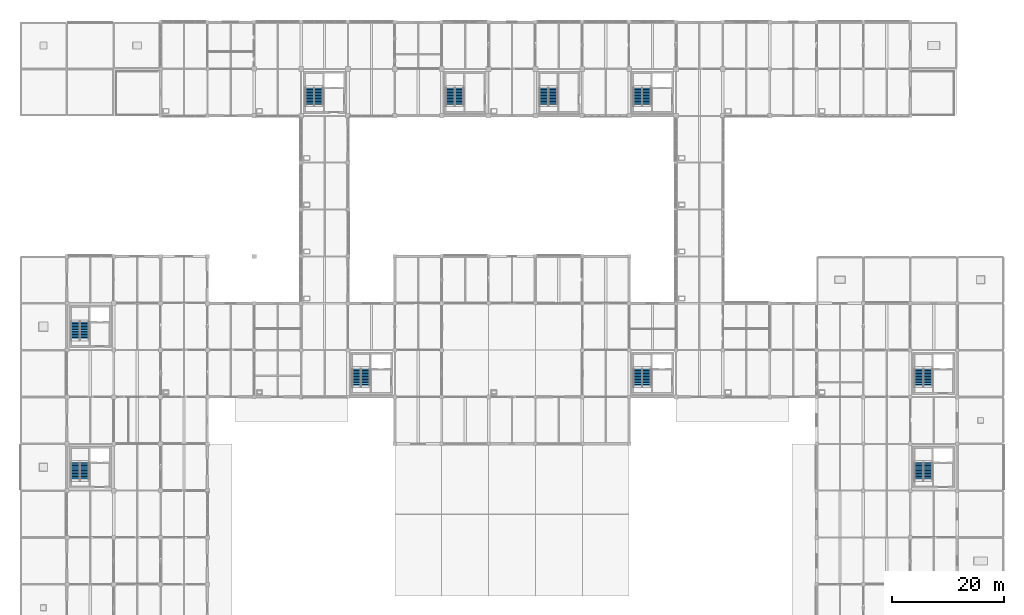
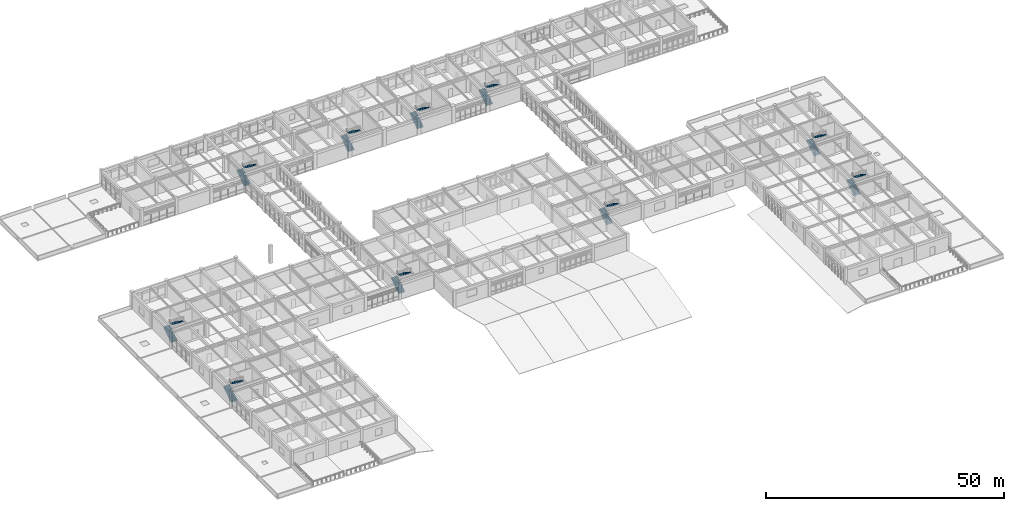
# One storey, part 74 of 78: 20 stair flights, 10 elements without a shape of their own.
"""IFC4 building model written with IfcOpenShell, lengths in metres."""

import ifcopenshell
import ifcopenshell.guid

model = None  # the IFC model being written
_history = None  # IfcOwnerHistory: only IFC2X3 demands one
_inside = {}  # id of a spatial element -> (the spatial element, [elements in it])
_under = {}  # id of a project, library or spatial element -> (it, [spatial elements below it])
_declared = {}  # id of a project -> (the project, [libraries it declares])
_typed = {}  # id of a type object -> (the type object, [elements of that type])
_made_of = {}  # id of a material, layer set ... -> (it, [elements and type objects made of it])


def new_model(schema):
    """Start an empty IFC model of exactly this schema.

    Asked for "IFC4X3", IfcOpenShell would pick the latest addendum, in which some entities
    have other attributes; the version numbers below select the first issue.
    IFC2X3 requires an IfcOwnerHistory on every rooted entity: one is made here for all.
    """
    global model, _history
    if schema == "IFC4X3":
        model = ifcopenshell.file(schema_version=(4, 3, 0, 0))
    else:
        model = ifcopenshell.file(schema=schema)
    _inside.clear()
    _under.clear()
    _declared.clear()
    _typed.clear()
    _made_of.clear()
    _history = None
    if model.schema == "IFC2X3":
        org = make("IfcOrganization", Name="unknown")
        user = make(
            "IfcPersonAndOrganization",
            ThePerson=make("IfcPerson", FamilyName="unknown"),
            TheOrganization=org,
        )
        app = make(
            "IfcApplication",
            ApplicationDeveloper=org,
            Version="unknown",
            ApplicationFullName="unknown",
            ApplicationIdentifier="unknown",
        )
        _history = make(
            "IfcOwnerHistory",
            OwningUser=user,
            OwningApplication=app,
            ChangeAction="ADDED",
            CreationDate=0,
        )
    return model


def make(cls, **values):
    """One entity of the class cls with the attributes given. An attribute that is None is left unset."""
    return model.create_entity(
        cls, **{name: value for name, value in values.items() if value is not None}
    )


def rooted(cls, **values):
    """An entity with a GlobalId (a new one), such as an element, a storey or a relation."""
    return make(cls, GlobalId=ifcopenshell.guid.new(), OwnerHistory=_history, **values)


def si_unit(unit_type, name, prefix=None):
    """IfcSIUnit, for example si_unit("LENGTHUNIT", "METRE", prefix="MILLI")."""
    return make("IfcSIUnit", UnitType=unit_type, Prefix=prefix, Name=name)


def assignment(units):
    """IfcUnitAssignment: the units of a project."""
    return None if units is None else make("IfcUnitAssignment", Units=units)


def point(xyz):
    """IfcCartesianPoint."""
    return None if xyz is None else make("IfcCartesianPoint", Coordinates=xyz)


def direction(xyz):
    """IfcDirection."""
    return None if xyz is None else make("IfcDirection", DirectionRatios=xyz)


def frame(location, z_axis=None, x_axis=None):
    """IfcAxis2Placement3D, a coordinate frame: its origin and axes. An axis left out is left unset."""
    return make(
        "IfcAxis2Placement3D",
        Location=point(location),
        Axis=direction(z_axis),
        RefDirection=direction(x_axis),
    )


def origin():
    """The frame at (0, 0, 0) with its axes left unset."""
    return frame((0.0, 0.0, 0.0))


def place(relative_to, where):
    """IfcLocalPlacement: puts the frame where relative to a parent placement (None: the world)."""
    return make(
        "IfcLocalPlacement", PlacementRelTo=relative_to, RelativePlacement=where
    )


def context(
    kind, dimensions, precision=None, world=None, true_north=None, identifier=None
):
    """IfcGeometricRepresentationContext, for example the 3D "Model" context."""
    return make(
        "IfcGeometricRepresentationContext",
        ContextIdentifier=identifier,
        ContextType=kind,
        CoordinateSpaceDimension=dimensions,
        Precision=precision,
        WorldCoordinateSystem=world,
        TrueNorth=true_north,
    )


def subcontext(parent, identifier, kind, view, scale=None):
    """IfcGeometricRepresentationSubContext, for example "Body" below "Model"."""
    return make(
        "IfcGeometricRepresentationSubContext",
        ContextIdentifier=identifier,
        ContextType=kind,
        ParentContext=parent,
        TargetScale=scale,
        TargetView=view,
    )


def project(units=None, contexts=None):
    """IfcProject with its units and contexts."""
    return rooted(
        "IfcProject",
        Name="project",
        RepresentationContexts=contexts,
        UnitsInContext=assignment(units),
    )


def spatial(cls, under=None, at=None, **own):
    """A site, building, storey or space (cls), placed at a placement, below another one or the project."""
    s = rooted(cls, ObjectPlacement=at, **own)
    if under is not None:
        _under.setdefault(under.id(), (under, []))[1].append(s)
    return s


def polyline(points):
    """IfcPolyline through the points."""
    return make("IfcPolyline", Points=[point(p) for p in points])


def outline(outer, holes=None, kind="AREA"):
    """IfcArbitraryClosedProfileDef: a profile drawn as a closed curve; with holes, ...WithVoids."""
    if holes is None:
        return make("IfcArbitraryClosedProfileDef", ProfileType=kind, OuterCurve=outer)
    return make(
        "IfcArbitraryProfileDefWithVoids",
        ProfileType=kind,
        OuterCurve=outer,
        InnerCurves=holes,
    )


def extrude(swept, where, along, depth):
    """IfcExtrudedAreaSolid: the profile swept, set in the frame where, extruded along a direction by depth."""
    return make(
        "IfcExtrudedAreaSolid",
        SweptArea=swept,
        Position=where,
        ExtrudedDirection=direction(along),
        Depth=depth,
    )


def shape(context_of_items, identifier, shape_type, items):
    """IfcShapeRepresentation: the items that make up one representation, for example the "Body"."""
    return make(
        "IfcShapeRepresentation",
        ContextOfItems=context_of_items,
        RepresentationIdentifier=identifier,
        RepresentationType=shape_type,
        Items=items,
    )


def material(Name=None, Category=None):
    """IfcMaterial."""
    return make("IfcMaterial", Name=Name, Category=Category)


def layer(
    of_material, thickness, ventilated=None, Name=None, Category=None, Priority=None
):
    """IfcMaterialLayer: one layer of a wall or slab, of a material (None: an air gap)."""
    return make(
        "IfcMaterialLayer",
        Material=of_material,
        LayerThickness=thickness,
        IsVentilated=ventilated,
        Name=Name,
        Category=Category,
        Priority=Priority,
    )


def layer_set(layers, Name=None):
    """IfcMaterialLayerSet."""
    return make("IfcMaterialLayerSet", MaterialLayers=layers, LayerSetName=Name)


def made_of(thing, what):
    """Note that an element or type object is made of a material, layer set ...; save() writes the relation."""
    if what is not None:
        _made_of.setdefault(what.id(), (what, []))[1].append(thing)
    return thing


def type_object(cls, material=None, **own):
    """A type object (cls), such as IfcWallType, which elements share."""
    return made_of(rooted(cls, **own), material)


def element(
    cls,
    number,
    at=None,
    inside=None,
    cuts=None,
    type_object=None,
    material=None,
    context=None,
    identifier="Body",
    shape_type=None,
    held_by="IfcProductDefinitionShape",
    body=None,
    shapes=None,
    **own,
):
    """One element of the class cls, such as IfcWall. Its Tag is "e" and its number.

    at: its placement. inside: the storey or other place that contains it. cuts: it is an
    opening in that element (IfcRelVoidsElement). A single representation is given by context,
    identifier, shape_type and body (its items); several are given by shapes. held_by: the class
    of the entity that holds the representations. save() writes the other relations.
    """
    e = rooted(cls, Tag="e%d" % number, ObjectPlacement=at, **own)
    if body is not None:
        shapes = [shape(context, identifier, shape_type, body)]
    if shapes is not None:
        e.Representation = make(held_by, Representations=shapes)
    if inside is not None:
        _inside.setdefault(inside.id(), (inside, []))[1].append(e)
    if cuts is not None:
        rooted(
            "IfcRelVoidsElement", RelatingBuildingElement=cuts, RelatedOpeningElement=e
        )
    if type_object is not None:
        _typed.setdefault(type_object.id(), (type_object, []))[1].append(e)
    return made_of(e, material)


def aggregate(whole, parts):
    """IfcRelAggregates: a whole, such as a stair, and the parts it consists of."""
    return rooted("IfcRelAggregates", RelatingObject=whole, RelatedObjects=parts)


def save(model, path):
    """Write the relations noted so far, then the file.

    IfcRelAggregates (storeys below a building ...), IfcRelContainedInSpatialStructure (elements
    in a storey), IfcRelDefinesByType, IfcRelAssociatesMaterial and IfcRelDeclares: one each for
    every whole, place, type object, material and project.
    """
    for whole, parts in _under.values():
        aggregate(whole, parts)
    for where, things in _inside.values():
        rooted(
            "IfcRelContainedInSpatialStructure",
            RelatedElements=things,
            RelatingStructure=where,
        )
    for kind, things in _typed.values():
        rooted("IfcRelDefinesByType", RelatedObjects=things, RelatingType=kind)
    for what, things in _made_of.values():
        rooted("IfcRelAssociatesMaterial", RelatedObjects=things, RelatingMaterial=what)
    for by, libraries in _declared.values():
        rooted("IfcRelDeclares", RelatingContext=by, RelatedDefinitions=libraries)
    model.write(path)


model = new_model("IFC4")

# Units and contexts
model_context = context("Model", 3, precision=1e-05, world=origin(), true_north=direction((0.0, 1.0)))
body_context = subcontext(model_context, "Body", "Model", "MODEL_VIEW")
ifc_project = project(units=[si_unit("LENGTHUNIT", "METRE"), si_unit("AREAUNIT", "SQUARE_METRE"), si_unit("VOLUMEUNIT", "CUBIC_METRE"), si_unit("PLANEANGLEUNIT", "RADIAN"), si_unit("MASSUNIT", "GRAM", prefix="KILO")], contexts=[model_context])

# Site, building, storey
site_placement = place(None, origin())
site = spatial("IfcSite", under=ifc_project, at=site_placement, CompositionType="ELEMENT")
building_placement = place(site_placement, origin())
building = spatial("IfcBuilding", under=site, at=building_placement, Name="Porcellanite Civic Hall", CompositionType="ELEMENT")
storey_placement = place(building_placement, frame((0.0, 0.0, 10.260009765625)))
storey = spatial("IfcBuildingStorey", under=building, at=storey_placement, Name="L02", CompositionType="ELEMENT", Elevation=10.260009765625)

# Stair, stair flights
ifc_material_1 = material(Name="Concrete N40 (40 MPa)", Category="concrete")
stair_type = type_object("IfcStairType", Name="STR-HT25", PredefinedType="HALF_TURN_STAIR", material=ifc_material_1)
stair_1_placement = place(storey_placement, origin())
stair_1 = element("IfcStair", 1, at=stair_1_placement, inside=storey, type_object=stair_type, Name="Fire stair ST-01 L02", PredefinedType="HALF_TURN_STAIR")
ifc_material_2 = material(Name="Concrete N40 (40 MPa)", Category="concrete")
ifc_layer = layer(ifc_material_2, 0.18994140625)
ifc_layer_set = layer_set([ifc_layer], Name="Concrete N40 (40 MPa)")
stair_flight_type = type_object("IfcStairFlightType", Name="FLT-154B", PredefinedType="STRAIGHT", material=ifc_layer_set)
stair_flight_1_placement = place(storey_placement, frame((9.9599609375, 35.324951171875, 0.0), z_axis=(0.0, 0.0, 1.0), x_axis=(0.0, 1.0, 0.0)))
stair_flight_1 = element("IfcStairFlight", 2, at=stair_flight_1_placement, type_object=stair_flight_type, Name="ST-01 flight 1", NumberOfRisers=13, NumberOfTreads=12, PredefinedType="STRAIGHT", RiserHeight=0.18, TreadLength=0.275, context=body_context, shape_type="SweptSolid", body=[
    extrude(outline(polyline([(0.0, 0.0), (0.0, 0.179931640625), (0.27490234375, 0.179931640625), (0.27490234375, 0.360107421875), (0.550048828125, 0.360107421875), (0.550048828125, 0.5400390625), (0.824951171875, 0.5400390625), (0.824951171875, 0.719970703125), (1.10009765625, 0.719970703125), (1.10009765625, 0.89990234375), (1.375, 0.89990234375), (1.375, 1.080078125), (1.64990234375, 1.080078125), (1.64990234375, 1.260009765625), (1.925048828125, 1.260009765625), (1.925048828125, 1.43994140625), (2.199951171875, 1.43994140625), (2.199951171875, 1.6201171875), (2.47509765625, 1.6201171875), (2.47509765625, 1.800048828125), (2.75, 1.800048828125), (2.75, 1.97998046875), (3.02490234375, 1.97998046875), (3.02490234375, 2.159912109375), (3.300048828125, 2.159912109375), (3.300048828125, 2.340087890625), (3.300048828125, 1.945068359375), (0.32861328125, 0.0), (0.0, 0.0)])), frame((0.0, 0.77001953125, 0.0), z_axis=(0.0, -1.0, 0.0), x_axis=(1.0, 0.0, 0.0)), (0.0, 0.0, 1.0), 1.5400390625),
])
stair_flight_2_placement = place(storey_placement, frame((11.5400390625, 38.625, 2.340087890625), z_axis=(0.0, 0.0, 1.0), x_axis=(0.0, -1.0, 0.0)))
stair_flight_2 = element("IfcStairFlight", 3, at=stair_flight_2_placement, type_object=stair_flight_type, Name="ST-01 flight 2", NumberOfRisers=12, NumberOfTreads=11, PredefinedType="STRAIGHT", RiserHeight=0.18, TreadLength=0.275, context=body_context, shape_type="SweptSolid", body=[
    extrude(outline(polyline([(0.0, 0.0), (0.0, 0.179931640625), (0.27490234375, 0.179931640625), (0.27490234375, 0.360107421875), (0.550048828125, 0.360107421875), (0.550048828125, 0.5400390625), (0.824951171875, 0.5400390625), (0.824951171875, 0.719970703125), (1.10009765625, 0.719970703125), (1.10009765625, 0.89990234375), (1.375, 0.89990234375), (1.375, 1.080078125), (1.64990234375, 1.080078125), (1.64990234375, 1.260009765625), (1.925048828125, 1.260009765625), (1.925048828125, 1.43994140625), (2.199951171875, 1.43994140625), (2.199951171875, 1.6201171875), (2.47509765625, 1.6201171875), (2.47509765625, 1.800048828125), (2.75, 1.800048828125), (2.75, 1.97998046875), (3.02490234375, 1.97998046875), (3.02490234375, 2.159912109375), (3.02490234375, 1.764892578125), (0.32861328125, 0.0), (0.0, 0.0)])), frame((0.0, 0.77001953125, 0.0), z_axis=(0.0, -1.0, 0.0), x_axis=(1.0, 0.0, 0.0)), (0.0, 0.0, 1.0), 1.5400390625),
])
aggregate(stair_1, [stair_flight_1, stair_flight_2])

stair_2_placement = place(storey_placement, origin())
stair_2 = element("IfcStair", 4, at=stair_2_placement, inside=storey, type_object=stair_type, Name="Fire stair ST-02 L02", PredefinedType="HALF_TURN_STAIR")
stair_flight_3_placement = place(storey_placement, frame((9.9599609375, 60.52490234375, 0.0), z_axis=(0.0, 0.0, 1.0), x_axis=(0.0, 1.0, 0.0)))
stair_flight_3 = element("IfcStairFlight", 5, at=stair_flight_3_placement, type_object=stair_flight_type, Name="ST-02 flight 1", NumberOfRisers=13, NumberOfTreads=12, PredefinedType="STRAIGHT", RiserHeight=0.18, TreadLength=0.275, context=body_context, shape_type="SweptSolid", body=[
    extrude(outline(polyline([(0.0, 0.0), (0.0, 0.179931640625), (0.27490234375, 0.179931640625), (0.27490234375, 0.360107421875), (0.550048828125, 0.360107421875), (0.550048828125, 0.5400390625), (0.824951171875, 0.5400390625), (0.824951171875, 0.719970703125), (1.10009765625, 0.719970703125), (1.10009765625, 0.89990234375), (1.375, 0.89990234375), (1.375, 1.080078125), (1.64990234375, 1.080078125), (1.64990234375, 1.260009765625), (1.925048828125, 1.260009765625), (1.925048828125, 1.43994140625), (2.199951171875, 1.43994140625), (2.199951171875, 1.6201171875), (2.47509765625, 1.6201171875), (2.47509765625, 1.800048828125), (2.75, 1.800048828125), (2.75, 1.97998046875), (3.02490234375, 1.97998046875), (3.02490234375, 2.159912109375), (3.300048828125, 2.159912109375), (3.300048828125, 2.340087890625), (3.300048828125, 1.945068359375), (0.32861328125, 0.0), (0.0, 0.0)])), frame((0.0, 0.77001953125, 0.0), z_axis=(0.0, -1.0, 0.0), x_axis=(1.0, 0.0, 0.0)), (0.0, 0.0, 1.0), 1.5400390625),
])
stair_flight_4_placement = place(storey_placement, frame((11.5400390625, 63.824951171875, 2.340087890625), z_axis=(0.0, 0.0, 1.0), x_axis=(0.0, -1.0, 0.0)))
stair_flight_4 = element("IfcStairFlight", 6, at=stair_flight_4_placement, type_object=stair_flight_type, Name="ST-02 flight 2", NumberOfRisers=12, NumberOfTreads=11, PredefinedType="STRAIGHT", RiserHeight=0.18, TreadLength=0.275, context=body_context, shape_type="SweptSolid", body=[
    extrude(outline(polyline([(0.0, 0.0), (0.0, 0.179931640625), (0.27490234375, 0.179931640625), (0.27490234375, 0.360107421875), (0.550048828125, 0.360107421875), (0.550048828125, 0.5400390625), (0.824951171875, 0.5400390625), (0.824951171875, 0.719970703125), (1.10009765625, 0.719970703125), (1.10009765625, 0.89990234375), (1.375, 0.89990234375), (1.375, 1.080078125), (1.64990234375, 1.080078125), (1.64990234375, 1.260009765625), (1.925048828125, 1.260009765625), (1.925048828125, 1.43994140625), (2.199951171875, 1.43994140625), (2.199951171875, 1.6201171875), (2.47509765625, 1.6201171875), (2.47509765625, 1.800048828125), (2.75, 1.800048828125), (2.75, 1.97998046875), (3.02490234375, 1.97998046875), (3.02490234375, 2.159912109375), (3.02490234375, 1.764892578125), (0.32861328125, 0.0), (0.0, 0.0)])), frame((0.0, 0.77001953125, 0.0), z_axis=(0.0, -1.0, 0.0), x_axis=(1.0, 0.0, 0.0)), (0.0, 0.0, 1.0), 1.5400390625),
])
aggregate(stair_2, [stair_flight_3, stair_flight_4])

stair_3_placement = place(storey_placement, origin())
stair_3 = element("IfcStair", 7, at=stair_3_placement, inside=storey, type_object=stair_type, Name="Fire stair ST-03 L02", PredefinedType="HALF_TURN_STAIR")
stair_flight_5_placement = place(storey_placement, frame((51.9599609375, 102.52490234375, 0.0), z_axis=(0.0, 0.0, 1.0), x_axis=(0.0, 1.0, 0.0)))
stair_flight_5 = element("IfcStairFlight", 8, at=stair_flight_5_placement, type_object=stair_flight_type, Name="ST-03 flight 1", NumberOfRisers=13, NumberOfTreads=12, PredefinedType="STRAIGHT", RiserHeight=0.18, TreadLength=0.275, context=body_context, shape_type="SweptSolid", body=[
    extrude(outline(polyline([(0.0, 0.0), (0.0, 0.179931640625), (0.27490234375, 0.179931640625), (0.27490234375, 0.360107421875), (0.550048828125, 0.360107421875), (0.550048828125, 0.5400390625), (0.824951171875, 0.5400390625), (0.824951171875, 0.719970703125), (1.10009765625, 0.719970703125), (1.10009765625, 0.89990234375), (1.375, 0.89990234375), (1.375, 1.080078125), (1.64990234375, 1.080078125), (1.64990234375, 1.260009765625), (1.925048828125, 1.260009765625), (1.925048828125, 1.43994140625), (2.199951171875, 1.43994140625), (2.199951171875, 1.6201171875), (2.47509765625, 1.6201171875), (2.47509765625, 1.800048828125), (2.75, 1.800048828125), (2.75, 1.97998046875), (3.02490234375, 1.97998046875), (3.02490234375, 2.159912109375), (3.300048828125, 2.159912109375), (3.300048828125, 2.340087890625), (3.300048828125, 1.945068359375), (0.32861328125, 0.0), (0.0, 0.0)])), frame((0.0, 0.77001953125, 0.0), z_axis=(0.0, -1.0, 0.0), x_axis=(1.0, 0.0, 0.0)), (0.0, 0.0, 1.0), 1.5400390625),
])
stair_flight_6_placement = place(storey_placement, frame((53.5400390625, 105.824951171875, 2.340087890625), z_axis=(0.0, 0.0, 1.0), x_axis=(0.0, -1.0, 0.0)))
stair_flight_6 = element("IfcStairFlight", 9, at=stair_flight_6_placement, type_object=stair_flight_type, Name="ST-03 flight 2", NumberOfRisers=12, NumberOfTreads=11, PredefinedType="STRAIGHT", RiserHeight=0.18, TreadLength=0.275, context=body_context, shape_type="SweptSolid", body=[
    extrude(outline(polyline([(0.0, 0.0), (0.0, 0.179931640625), (0.27490234375, 0.179931640625), (0.27490234375, 0.360107421875), (0.550048828125, 0.360107421875), (0.550048828125, 0.5400390625), (0.824951171875, 0.5400390625), (0.824951171875, 0.719970703125), (1.10009765625, 0.719970703125), (1.10009765625, 0.89990234375), (1.375, 0.89990234375), (1.375, 1.080078125), (1.64990234375, 1.080078125), (1.64990234375, 1.260009765625), (1.925048828125, 1.260009765625), (1.925048828125, 1.43994140625), (2.199951171875, 1.43994140625), (2.199951171875, 1.6201171875), (2.47509765625, 1.6201171875), (2.47509765625, 1.800048828125), (2.75, 1.800048828125), (2.75, 1.97998046875), (3.02490234375, 1.97998046875), (3.02490234375, 2.159912109375), (3.02490234375, 1.764892578125), (0.32861328125, 0.0), (0.0, 0.0)])), frame((0.0, 0.77001953125, 0.0), z_axis=(0.0, -1.0, 0.0), x_axis=(1.0, 0.0, 0.0)), (0.0, 0.0, 1.0), 1.5400390625),
])
aggregate(stair_3, [stair_flight_5, stair_flight_6])

stair_4_placement = place(storey_placement, origin())
stair_4 = element("IfcStair", 10, at=stair_4_placement, inside=storey, type_object=stair_type, Name="Fire stair ST-04 L02", PredefinedType="HALF_TURN_STAIR")
stair_flight_7_placement = place(storey_placement, frame((110.760009765625, 102.52490234375, 0.0), z_axis=(0.0, 0.0, 1.0), x_axis=(0.0, 1.0, 0.0)))
stair_flight_7 = element("IfcStairFlight", 11, at=stair_flight_7_placement, type_object=stair_flight_type, Name="ST-04 flight 1", NumberOfRisers=13, NumberOfTreads=12, PredefinedType="STRAIGHT", RiserHeight=0.18, TreadLength=0.275, context=body_context, shape_type="SweptSolid", body=[
    extrude(outline(polyline([(0.0, 0.0), (0.0, 0.179931640625), (0.27490234375, 0.179931640625), (0.27490234375, 0.360107421875), (0.550048828125, 0.360107421875), (0.550048828125, 0.5400390625), (0.824951171875, 0.5400390625), (0.824951171875, 0.719970703125), (1.10009765625, 0.719970703125), (1.10009765625, 0.89990234375), (1.375, 0.89990234375), (1.375, 1.080078125), (1.64990234375, 1.080078125), (1.64990234375, 1.260009765625), (1.925048828125, 1.260009765625), (1.925048828125, 1.43994140625), (2.199951171875, 1.43994140625), (2.199951171875, 1.6201171875), (2.47509765625, 1.6201171875), (2.47509765625, 1.800048828125), (2.75, 1.800048828125), (2.75, 1.97998046875), (3.02490234375, 1.97998046875), (3.02490234375, 2.159912109375), (3.300048828125, 2.159912109375), (3.300048828125, 2.340087890625), (3.300048828125, 1.945068359375), (0.32861328125, 0.0), (0.0, 0.0)])), frame((0.0, 0.77001953125, 0.0), z_axis=(0.0, -1.0, 0.0), x_axis=(1.0, 0.0, 0.0)), (0.0, 0.0, 1.0), 1.5400390625),
])
stair_flight_8_placement = place(storey_placement, frame((112.340087890625, 105.824951171875, 2.340087890625), z_axis=(0.0, 0.0, 1.0), x_axis=(0.0, -1.0, 0.0)))
stair_flight_8 = element("IfcStairFlight", 12, at=stair_flight_8_placement, type_object=stair_flight_type, Name="ST-04 flight 2", NumberOfRisers=12, NumberOfTreads=11, PredefinedType="STRAIGHT", RiserHeight=0.18, TreadLength=0.275, context=body_context, shape_type="SweptSolid", body=[
    extrude(outline(polyline([(0.0, 0.0), (0.0, 0.179931640625), (0.27490234375, 0.179931640625), (0.27490234375, 0.360107421875), (0.550048828125, 0.360107421875), (0.550048828125, 0.5400390625), (0.824951171875, 0.5400390625), (0.824951171875, 0.719970703125), (1.10009765625, 0.719970703125), (1.10009765625, 0.89990234375), (1.375, 0.89990234375), (1.375, 1.080078125), (1.64990234375, 1.080078125), (1.64990234375, 1.260009765625), (1.925048828125, 1.260009765625), (1.925048828125, 1.43994140625), (2.199951171875, 1.43994140625), (2.199951171875, 1.6201171875), (2.47509765625, 1.6201171875), (2.47509765625, 1.800048828125), (2.75, 1.800048828125), (2.75, 1.97998046875), (3.02490234375, 1.97998046875), (3.02490234375, 2.159912109375), (3.02490234375, 1.764892578125), (0.32861328125, 0.0), (0.0, 0.0)])), frame((0.0, 0.77001953125, 0.0), z_axis=(0.0, -1.0, 0.0), x_axis=(1.0, 0.0, 0.0)), (0.0, 0.0, 1.0), 1.5400390625),
])
aggregate(stair_4, [stair_flight_7, stair_flight_8])

stair_5_placement = place(storey_placement, origin())
stair_5 = element("IfcStair", 13, at=stair_5_placement, inside=storey, type_object=stair_type, Name="Fire stair ST-05 L02", PredefinedType="HALF_TURN_STAIR")
stair_flight_9_placement = place(storey_placement, frame((60.360107421875, 52.125, 0.0), z_axis=(0.0, 0.0, 1.0), x_axis=(0.0, 1.0, 0.0)))
stair_flight_9 = element("IfcStairFlight", 14, at=stair_flight_9_placement, type_object=stair_flight_type, Name="ST-05 flight 1", NumberOfRisers=13, NumberOfTreads=12, PredefinedType="STRAIGHT", RiserHeight=0.18, TreadLength=0.275, context=body_context, shape_type="SweptSolid", body=[
    extrude(outline(polyline([(0.0, 0.0), (0.0, 0.179931640625), (0.27490234375, 0.179931640625), (0.27490234375, 0.360107421875), (0.550048828125, 0.360107421875), (0.550048828125, 0.5400390625), (0.824951171875, 0.5400390625), (0.824951171875, 0.719970703125), (1.10009765625, 0.719970703125), (1.10009765625, 0.89990234375), (1.375, 0.89990234375), (1.375, 1.080078125), (1.64990234375, 1.080078125), (1.64990234375, 1.260009765625), (1.925048828125, 1.260009765625), (1.925048828125, 1.43994140625), (2.199951171875, 1.43994140625), (2.199951171875, 1.6201171875), (2.47509765625, 1.6201171875), (2.47509765625, 1.800048828125), (2.75, 1.800048828125), (2.75, 1.97998046875), (3.02490234375, 1.97998046875), (3.02490234375, 2.159912109375), (3.300048828125, 2.159912109375), (3.300048828125, 2.340087890625), (3.300048828125, 1.945068359375), (0.32861328125, 0.0), (0.0, 0.0)])), frame((0.0, 0.77001953125, 0.0), z_axis=(0.0, -1.0, 0.0), x_axis=(1.0, 0.0, 0.0)), (0.0, 0.0, 1.0), 1.5400390625),
])
stair_flight_10_placement = place(storey_placement, frame((61.93994140625, 55.425048828125, 2.340087890625), z_axis=(0.0, 0.0, 1.0), x_axis=(0.0, -1.0, 0.0)))
stair_flight_10 = element("IfcStairFlight", 15, at=stair_flight_10_placement, type_object=stair_flight_type, Name="ST-05 flight 2", NumberOfRisers=12, NumberOfTreads=11, PredefinedType="STRAIGHT", RiserHeight=0.18, TreadLength=0.275, context=body_context, shape_type="SweptSolid", body=[
    extrude(outline(polyline([(0.0, 0.0), (0.0, 0.179931640625), (0.27490234375, 0.179931640625), (0.27490234375, 0.360107421875), (0.550048828125, 0.360107421875), (0.550048828125, 0.5400390625), (0.824951171875, 0.5400390625), (0.824951171875, 0.719970703125), (1.10009765625, 0.719970703125), (1.10009765625, 0.89990234375), (1.375, 0.89990234375), (1.375, 1.080078125), (1.64990234375, 1.080078125), (1.64990234375, 1.260009765625), (1.925048828125, 1.260009765625), (1.925048828125, 1.43994140625), (2.199951171875, 1.43994140625), (2.199951171875, 1.6201171875), (2.47509765625, 1.6201171875), (2.47509765625, 1.800048828125), (2.75, 1.800048828125), (2.75, 1.97998046875), (3.02490234375, 1.97998046875), (3.02490234375, 2.159912109375), (3.02490234375, 1.764892578125), (0.32861328125, 0.0), (0.0, 0.0)])), frame((0.0, 0.77001953125, 0.0), z_axis=(0.0, -1.0, 0.0), x_axis=(1.0, 0.0, 0.0)), (0.0, 0.0, 1.0), 1.5400390625),
])
aggregate(stair_5, [stair_flight_9, stair_flight_10])

stair_6_placement = place(storey_placement, origin())
stair_6 = element("IfcStair", 16, at=stair_6_placement, inside=storey, type_object=stair_type, Name="Fire stair ST-06 L02", PredefinedType="HALF_TURN_STAIR")
stair_flight_11_placement = place(storey_placement, frame((110.760009765625, 52.125, 0.0), z_axis=(0.0, 0.0, 1.0), x_axis=(0.0, 1.0, 0.0)))
stair_flight_11 = element("IfcStairFlight", 17, at=stair_flight_11_placement, type_object=stair_flight_type, Name="ST-06 flight 1", NumberOfRisers=13, NumberOfTreads=12, PredefinedType="STRAIGHT", RiserHeight=0.18, TreadLength=0.275, context=body_context, shape_type="SweptSolid", body=[
    extrude(outline(polyline([(0.0, 0.0), (0.0, 0.179931640625), (0.27490234375, 0.179931640625), (0.27490234375, 0.360107421875), (0.550048828125, 0.360107421875), (0.550048828125, 0.5400390625), (0.824951171875, 0.5400390625), (0.824951171875, 0.719970703125), (1.10009765625, 0.719970703125), (1.10009765625, 0.89990234375), (1.375, 0.89990234375), (1.375, 1.080078125), (1.64990234375, 1.080078125), (1.64990234375, 1.260009765625), (1.925048828125, 1.260009765625), (1.925048828125, 1.43994140625), (2.199951171875, 1.43994140625), (2.199951171875, 1.6201171875), (2.47509765625, 1.6201171875), (2.47509765625, 1.800048828125), (2.75, 1.800048828125), (2.75, 1.97998046875), (3.02490234375, 1.97998046875), (3.02490234375, 2.159912109375), (3.300048828125, 2.159912109375), (3.300048828125, 2.340087890625), (3.300048828125, 1.945068359375), (0.32861328125, 0.0), (0.0, 0.0)])), frame((0.0, 0.77001953125, 0.0), z_axis=(0.0, -1.0, 0.0), x_axis=(1.0, 0.0, 0.0)), (0.0, 0.0, 1.0), 1.5400390625),
])
stair_flight_12_placement = place(storey_placement, frame((112.340087890625, 55.425048828125, 2.340087890625), z_axis=(0.0, 0.0, 1.0), x_axis=(0.0, -1.0, 0.0)))
stair_flight_12 = element("IfcStairFlight", 18, at=stair_flight_12_placement, type_object=stair_flight_type, Name="ST-06 flight 2", NumberOfRisers=12, NumberOfTreads=11, PredefinedType="STRAIGHT", RiserHeight=0.18, TreadLength=0.275, context=body_context, shape_type="SweptSolid", body=[
    extrude(outline(polyline([(0.0, 0.0), (0.0, 0.179931640625), (0.27490234375, 0.179931640625), (0.27490234375, 0.360107421875), (0.550048828125, 0.360107421875), (0.550048828125, 0.5400390625), (0.824951171875, 0.5400390625), (0.824951171875, 0.719970703125), (1.10009765625, 0.719970703125), (1.10009765625, 0.89990234375), (1.375, 0.89990234375), (1.375, 1.080078125), (1.64990234375, 1.080078125), (1.64990234375, 1.260009765625), (1.925048828125, 1.260009765625), (1.925048828125, 1.43994140625), (2.199951171875, 1.43994140625), (2.199951171875, 1.6201171875), (2.47509765625, 1.6201171875), (2.47509765625, 1.800048828125), (2.75, 1.800048828125), (2.75, 1.97998046875), (3.02490234375, 1.97998046875), (3.02490234375, 2.159912109375), (3.02490234375, 1.764892578125), (0.32861328125, 0.0), (0.0, 0.0)])), frame((0.0, 0.77001953125, 0.0), z_axis=(0.0, -1.0, 0.0), x_axis=(1.0, 0.0, 0.0)), (0.0, 0.0, 1.0), 1.5400390625),
])
aggregate(stair_6, [stair_flight_11, stair_flight_12])

stair_7_placement = place(storey_placement, origin())
stair_7 = element("IfcStair", 19, at=stair_7_placement, inside=storey, type_object=stair_type, Name="Fire stair ST-07 L02", PredefinedType="HALF_TURN_STAIR")
stair_flight_13_placement = place(storey_placement, frame((161.159912109375, 35.324951171875, 0.0), z_axis=(0.0, 0.0, 1.0), x_axis=(0.0, 1.0, 0.0)))
stair_flight_13 = element("IfcStairFlight", 20, at=stair_flight_13_placement, type_object=stair_flight_type, Name="ST-07 flight 1", NumberOfRisers=13, NumberOfTreads=12, PredefinedType="STRAIGHT", RiserHeight=0.18, TreadLength=0.275, context=body_context, shape_type="SweptSolid", body=[
    extrude(outline(polyline([(0.0, 0.0), (0.0, 0.179931640625), (0.27490234375, 0.179931640625), (0.27490234375, 0.360107421875), (0.550048828125, 0.360107421875), (0.550048828125, 0.5400390625), (0.824951171875, 0.5400390625), (0.824951171875, 0.719970703125), (1.10009765625, 0.719970703125), (1.10009765625, 0.89990234375), (1.375, 0.89990234375), (1.375, 1.080078125), (1.64990234375, 1.080078125), (1.64990234375, 1.260009765625), (1.925048828125, 1.260009765625), (1.925048828125, 1.43994140625), (2.199951171875, 1.43994140625), (2.199951171875, 1.6201171875), (2.47509765625, 1.6201171875), (2.47509765625, 1.800048828125), (2.75, 1.800048828125), (2.75, 1.97998046875), (3.02490234375, 1.97998046875), (3.02490234375, 2.159912109375), (3.300048828125, 2.159912109375), (3.300048828125, 2.340087890625), (3.300048828125, 1.945068359375), (0.32861328125, 0.0), (0.0, 0.0)])), frame((0.0, 0.77001953125, 0.0), z_axis=(0.0, -1.0, 0.0), x_axis=(1.0, 0.0, 0.0)), (0.0, 0.0, 1.0), 1.5400390625),
])
stair_flight_14_placement = place(storey_placement, frame((162.739990234375, 38.625, 2.340087890625), z_axis=(0.0, 0.0, 1.0), x_axis=(0.0, -1.0, 0.0)))
stair_flight_14 = element("IfcStairFlight", 21, at=stair_flight_14_placement, type_object=stair_flight_type, Name="ST-07 flight 2", NumberOfRisers=12, NumberOfTreads=11, PredefinedType="STRAIGHT", RiserHeight=0.18, TreadLength=0.275, context=body_context, shape_type="SweptSolid", body=[
    extrude(outline(polyline([(0.0, 0.0), (0.0, 0.179931640625), (0.27490234375, 0.179931640625), (0.27490234375, 0.360107421875), (0.550048828125, 0.360107421875), (0.550048828125, 0.5400390625), (0.824951171875, 0.5400390625), (0.824951171875, 0.719970703125), (1.10009765625, 0.719970703125), (1.10009765625, 0.89990234375), (1.375, 0.89990234375), (1.375, 1.080078125), (1.64990234375, 1.080078125), (1.64990234375, 1.260009765625), (1.925048828125, 1.260009765625), (1.925048828125, 1.43994140625), (2.199951171875, 1.43994140625), (2.199951171875, 1.6201171875), (2.47509765625, 1.6201171875), (2.47509765625, 1.800048828125), (2.75, 1.800048828125), (2.75, 1.97998046875), (3.02490234375, 1.97998046875), (3.02490234375, 2.159912109375), (3.02490234375, 1.764892578125), (0.32861328125, 0.0), (0.0, 0.0)])), frame((0.0, 0.77001953125, 0.0), z_axis=(0.0, -1.0, 0.0), x_axis=(1.0, 0.0, 0.0)), (0.0, 0.0, 1.0), 1.5400390625),
])
aggregate(stair_7, [stair_flight_13, stair_flight_14])

stair_8_placement = place(storey_placement, origin())
stair_8 = element("IfcStair", 22, at=stair_8_placement, inside=storey, type_object=stair_type, Name="Fire stair ST-08 L02", PredefinedType="HALF_TURN_STAIR")
stair_flight_15_placement = place(storey_placement, frame((161.159912109375, 52.125, 0.0), z_axis=(0.0, 0.0, 1.0), x_axis=(0.0, 1.0, 0.0)))
stair_flight_15 = element("IfcStairFlight", 23, at=stair_flight_15_placement, type_object=stair_flight_type, Name="ST-08 flight 1", NumberOfRisers=13, NumberOfTreads=12, PredefinedType="STRAIGHT", RiserHeight=0.18, TreadLength=0.275, context=body_context, shape_type="SweptSolid", body=[
    extrude(outline(polyline([(0.0, 0.0), (0.0, 0.179931640625), (0.27490234375, 0.179931640625), (0.27490234375, 0.360107421875), (0.550048828125, 0.360107421875), (0.550048828125, 0.5400390625), (0.824951171875, 0.5400390625), (0.824951171875, 0.719970703125), (1.10009765625, 0.719970703125), (1.10009765625, 0.89990234375), (1.375, 0.89990234375), (1.375, 1.080078125), (1.64990234375, 1.080078125), (1.64990234375, 1.260009765625), (1.925048828125, 1.260009765625), (1.925048828125, 1.43994140625), (2.199951171875, 1.43994140625), (2.199951171875, 1.6201171875), (2.47509765625, 1.6201171875), (2.47509765625, 1.800048828125), (2.75, 1.800048828125), (2.75, 1.97998046875), (3.02490234375, 1.97998046875), (3.02490234375, 2.159912109375), (3.300048828125, 2.159912109375), (3.300048828125, 2.340087890625), (3.300048828125, 1.945068359375), (0.32861328125, 0.0), (0.0, 0.0)])), frame((0.0, 0.77001953125, 0.0), z_axis=(0.0, -1.0, 0.0), x_axis=(1.0, 0.0, 0.0)), (0.0, 0.0, 1.0), 1.5400390625),
])
stair_flight_16_placement = place(storey_placement, frame((162.739990234375, 55.425048828125, 2.340087890625), z_axis=(0.0, 0.0, 1.0), x_axis=(0.0, -1.0, 0.0)))
stair_flight_16 = element("IfcStairFlight", 24, at=stair_flight_16_placement, type_object=stair_flight_type, Name="ST-08 flight 2", NumberOfRisers=12, NumberOfTreads=11, PredefinedType="STRAIGHT", RiserHeight=0.18, TreadLength=0.275, context=body_context, shape_type="SweptSolid", body=[
    extrude(outline(polyline([(0.0, 0.0), (0.0, 0.179931640625), (0.27490234375, 0.179931640625), (0.27490234375, 0.360107421875), (0.550048828125, 0.360107421875), (0.550048828125, 0.5400390625), (0.824951171875, 0.5400390625), (0.824951171875, 0.719970703125), (1.10009765625, 0.719970703125), (1.10009765625, 0.89990234375), (1.375, 0.89990234375), (1.375, 1.080078125), (1.64990234375, 1.080078125), (1.64990234375, 1.260009765625), (1.925048828125, 1.260009765625), (1.925048828125, 1.43994140625), (2.199951171875, 1.43994140625), (2.199951171875, 1.6201171875), (2.47509765625, 1.6201171875), (2.47509765625, 1.800048828125), (2.75, 1.800048828125), (2.75, 1.97998046875), (3.02490234375, 1.97998046875), (3.02490234375, 2.159912109375), (3.02490234375, 1.764892578125), (0.32861328125, 0.0), (0.0, 0.0)])), frame((0.0, 0.77001953125, 0.0), z_axis=(0.0, -1.0, 0.0), x_axis=(1.0, 0.0, 0.0)), (0.0, 0.0, 1.0), 1.5400390625),
])
aggregate(stair_8, [stair_flight_15, stair_flight_16])

stair_9_placement = place(storey_placement, origin())
stair_9 = element("IfcStair", 25, at=stair_9_placement, inside=storey, type_object=stair_type, Name="Fire stair ST-09 L02", PredefinedType="HALF_TURN_STAIR")
stair_flight_17_placement = place(storey_placement, frame((77.159912109375, 102.52490234375, 0.0), z_axis=(0.0, 0.0, 1.0), x_axis=(0.0, 1.0, 0.0)))
stair_flight_17 = element("IfcStairFlight", 26, at=stair_flight_17_placement, type_object=stair_flight_type, Name="ST-09 flight 1", NumberOfRisers=13, NumberOfTreads=12, PredefinedType="STRAIGHT", RiserHeight=0.18, TreadLength=0.275, context=body_context, shape_type="SweptSolid", body=[
    extrude(outline(polyline([(0.0, 0.0), (0.0, 0.179931640625), (0.27490234375, 0.179931640625), (0.27490234375, 0.360107421875), (0.550048828125, 0.360107421875), (0.550048828125, 0.5400390625), (0.824951171875, 0.5400390625), (0.824951171875, 0.719970703125), (1.10009765625, 0.719970703125), (1.10009765625, 0.89990234375), (1.375, 0.89990234375), (1.375, 1.080078125), (1.64990234375, 1.080078125), (1.64990234375, 1.260009765625), (1.925048828125, 1.260009765625), (1.925048828125, 1.43994140625), (2.199951171875, 1.43994140625), (2.199951171875, 1.6201171875), (2.47509765625, 1.6201171875), (2.47509765625, 1.800048828125), (2.75, 1.800048828125), (2.75, 1.97998046875), (3.02490234375, 1.97998046875), (3.02490234375, 2.159912109375), (3.300048828125, 2.159912109375), (3.300048828125, 2.340087890625), (3.300048828125, 1.945068359375), (0.32861328125, 0.0), (0.0, 0.0)])), frame((0.0, 0.77001953125, 0.0), z_axis=(0.0, -1.0, 0.0), x_axis=(1.0, 0.0, 0.0)), (0.0, 0.0, 1.0), 1.5400390625),
])
stair_flight_18_placement = place(storey_placement, frame((78.739990234375, 105.824951171875, 2.340087890625), z_axis=(0.0, 0.0, 1.0), x_axis=(0.0, -1.0, 0.0)))
stair_flight_18 = element("IfcStairFlight", 27, at=stair_flight_18_placement, type_object=stair_flight_type, Name="ST-09 flight 2", NumberOfRisers=12, NumberOfTreads=11, PredefinedType="STRAIGHT", RiserHeight=0.18, TreadLength=0.275, context=body_context, shape_type="SweptSolid", body=[
    extrude(outline(polyline([(0.0, 0.0), (0.0, 0.179931640625), (0.27490234375, 0.179931640625), (0.27490234375, 0.360107421875), (0.550048828125, 0.360107421875), (0.550048828125, 0.5400390625), (0.824951171875, 0.5400390625), (0.824951171875, 0.719970703125), (1.10009765625, 0.719970703125), (1.10009765625, 0.89990234375), (1.375, 0.89990234375), (1.375, 1.080078125), (1.64990234375, 1.080078125), (1.64990234375, 1.260009765625), (1.925048828125, 1.260009765625), (1.925048828125, 1.43994140625), (2.199951171875, 1.43994140625), (2.199951171875, 1.6201171875), (2.47509765625, 1.6201171875), (2.47509765625, 1.800048828125), (2.75, 1.800048828125), (2.75, 1.97998046875), (3.02490234375, 1.97998046875), (3.02490234375, 2.159912109375), (3.02490234375, 1.764892578125), (0.32861328125, 0.0), (0.0, 0.0)])), frame((0.0, 0.77001953125, 0.0), z_axis=(0.0, -1.0, 0.0), x_axis=(1.0, 0.0, 0.0)), (0.0, 0.0, 1.0), 1.5400390625),
])
aggregate(stair_9, [stair_flight_17, stair_flight_18])

stair_10_placement = place(storey_placement, origin())
stair_10 = element("IfcStair", 28, at=stair_10_placement, inside=storey, type_object=stair_type, Name="Fire stair ST-10 L02", PredefinedType="HALF_TURN_STAIR")
stair_flight_19_placement = place(storey_placement, frame((93.9599609375, 102.52490234375, 0.0), z_axis=(0.0, 0.0, 1.0), x_axis=(0.0, 1.0, 0.0)))
stair_flight_19 = element("IfcStairFlight", 29, at=stair_flight_19_placement, type_object=stair_flight_type, Name="ST-10 flight 1", NumberOfRisers=13, NumberOfTreads=12, PredefinedType="STRAIGHT", RiserHeight=0.18, TreadLength=0.275, context=body_context, shape_type="SweptSolid", body=[
    extrude(outline(polyline([(0.0, 0.0), (0.0, 0.179931640625), (0.27490234375, 0.179931640625), (0.27490234375, 0.360107421875), (0.550048828125, 0.360107421875), (0.550048828125, 0.5400390625), (0.824951171875, 0.5400390625), (0.824951171875, 0.719970703125), (1.10009765625, 0.719970703125), (1.10009765625, 0.89990234375), (1.375, 0.89990234375), (1.375, 1.080078125), (1.64990234375, 1.080078125), (1.64990234375, 1.260009765625), (1.925048828125, 1.260009765625), (1.925048828125, 1.43994140625), (2.199951171875, 1.43994140625), (2.199951171875, 1.6201171875), (2.47509765625, 1.6201171875), (2.47509765625, 1.800048828125), (2.75, 1.800048828125), (2.75, 1.97998046875), (3.02490234375, 1.97998046875), (3.02490234375, 2.159912109375), (3.300048828125, 2.159912109375), (3.300048828125, 2.340087890625), (3.300048828125, 1.945068359375), (0.32861328125, 0.0), (0.0, 0.0)])), frame((0.0, 0.77001953125, 0.0), z_axis=(0.0, -1.0, 0.0), x_axis=(1.0, 0.0, 0.0)), (0.0, 0.0, 1.0), 1.5400390625),
])
stair_flight_20_placement = place(storey_placement, frame((95.5400390625, 105.824951171875, 2.340087890625), z_axis=(0.0, 0.0, 1.0), x_axis=(0.0, -1.0, 0.0)))
stair_flight_20 = element("IfcStairFlight", 30, at=stair_flight_20_placement, type_object=stair_flight_type, Name="ST-10 flight 2", NumberOfRisers=12, NumberOfTreads=11, PredefinedType="STRAIGHT", RiserHeight=0.18, TreadLength=0.275, context=body_context, shape_type="SweptSolid", body=[
    extrude(outline(polyline([(0.0, 0.0), (0.0, 0.179931640625), (0.27490234375, 0.179931640625), (0.27490234375, 0.360107421875), (0.550048828125, 0.360107421875), (0.550048828125, 0.5400390625), (0.824951171875, 0.5400390625), (0.824951171875, 0.719970703125), (1.10009765625, 0.719970703125), (1.10009765625, 0.89990234375), (1.375, 0.89990234375), (1.375, 1.080078125), (1.64990234375, 1.080078125), (1.64990234375, 1.260009765625), (1.925048828125, 1.260009765625), (1.925048828125, 1.43994140625), (2.199951171875, 1.43994140625), (2.199951171875, 1.6201171875), (2.47509765625, 1.6201171875), (2.47509765625, 1.800048828125), (2.75, 1.800048828125), (2.75, 1.97998046875), (3.02490234375, 1.97998046875), (3.02490234375, 2.159912109375), (3.02490234375, 1.764892578125), (0.32861328125, 0.0), (0.0, 0.0)])), frame((0.0, 0.77001953125, 0.0), z_axis=(0.0, -1.0, 0.0), x_axis=(1.0, 0.0, 0.0)), (0.0, 0.0, 1.0), 1.5400390625),
])
aggregate(stair_10, [stair_flight_19, stair_flight_20])

save(model, "model.ifc")
